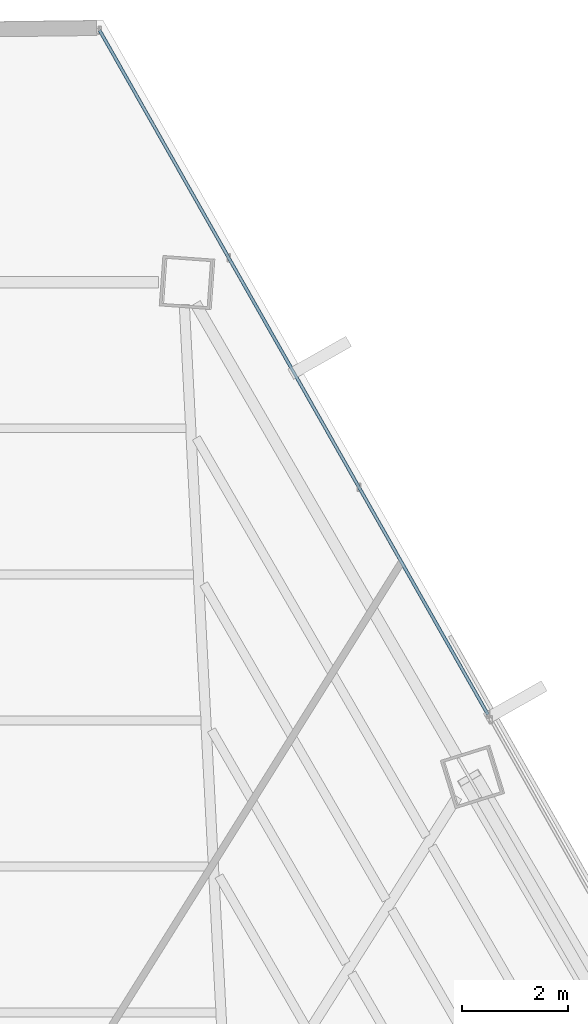
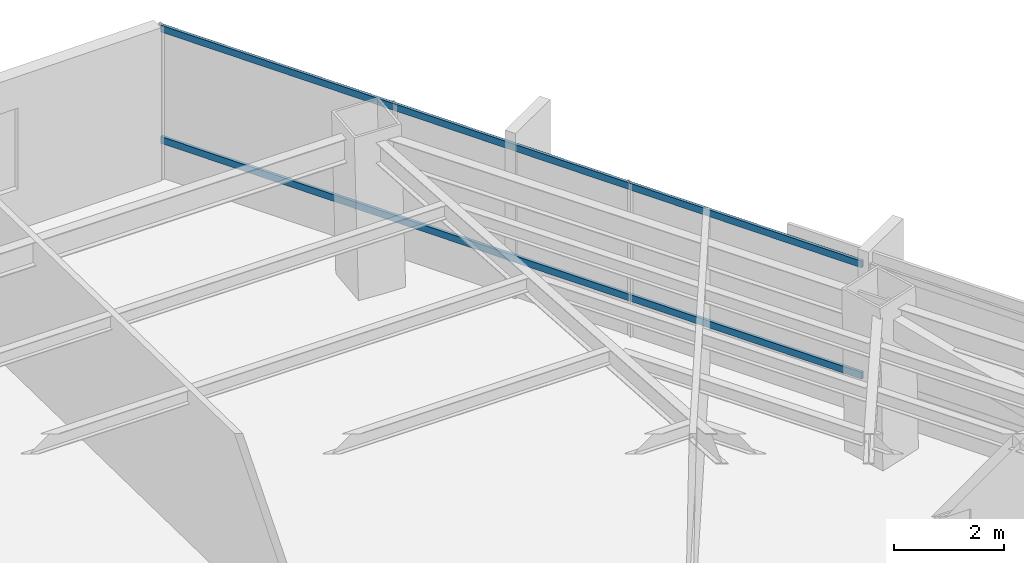
# One storey, part 33 of 41: 2 members, 1 element without a shape of its own.
"""IFC4 building model written with IfcOpenShell, lengths in metres."""

import ifcopenshell
import ifcopenshell.guid

model = None  # the IFC model being written
_history = None  # IfcOwnerHistory: only IFC2X3 demands one
_inside = {}  # id of a spatial element -> (the spatial element, [elements in it])
_under = {}  # id of a project, library or spatial element -> (it, [spatial elements below it])
_declared = {}  # id of a project -> (the project, [libraries it declares])
_typed = {}  # id of a type object -> (the type object, [elements of that type])
_made_of = {}  # id of a material, layer set ... -> (it, [elements and type objects made of it])


def new_model(schema):
    """Start an empty IFC model of exactly this schema.

    Asked for "IFC4X3", IfcOpenShell would pick the latest addendum, in which some entities
    have other attributes; the version numbers below select the first issue.
    IFC2X3 requires an IfcOwnerHistory on every rooted entity: one is made here for all.
    """
    global model, _history
    if schema == "IFC4X3":
        model = ifcopenshell.file(schema_version=(4, 3, 0, 0))
    else:
        model = ifcopenshell.file(schema=schema)
    _inside.clear()
    _under.clear()
    _declared.clear()
    _typed.clear()
    _made_of.clear()
    _history = None
    if model.schema == "IFC2X3":
        org = make("IfcOrganization", Name="unknown")
        user = make(
            "IfcPersonAndOrganization",
            ThePerson=make("IfcPerson", FamilyName="unknown"),
            TheOrganization=org,
        )
        app = make(
            "IfcApplication",
            ApplicationDeveloper=org,
            Version="unknown",
            ApplicationFullName="unknown",
            ApplicationIdentifier="unknown",
        )
        _history = make(
            "IfcOwnerHistory",
            OwningUser=user,
            OwningApplication=app,
            ChangeAction="ADDED",
            CreationDate=0,
        )
    return model


def make(cls, **values):
    """One entity of the class cls with the attributes given. An attribute that is None is left unset."""
    return model.create_entity(
        cls, **{name: value for name, value in values.items() if value is not None}
    )


def rooted(cls, **values):
    """An entity with a GlobalId (a new one), such as an element, a storey or a relation."""
    return make(cls, GlobalId=ifcopenshell.guid.new(), OwnerHistory=_history, **values)


def si_unit(unit_type, name, prefix=None):
    """IfcSIUnit, for example si_unit("LENGTHUNIT", "METRE", prefix="MILLI")."""
    return make("IfcSIUnit", UnitType=unit_type, Prefix=prefix, Name=name)


def assignment(units):
    """IfcUnitAssignment: the units of a project."""
    return None if units is None else make("IfcUnitAssignment", Units=units)


def point(xyz):
    """IfcCartesianPoint."""
    return None if xyz is None else make("IfcCartesianPoint", Coordinates=xyz)


def direction(xyz):
    """IfcDirection."""
    return None if xyz is None else make("IfcDirection", DirectionRatios=xyz)


def frame(location, z_axis=None, x_axis=None):
    """IfcAxis2Placement3D, a coordinate frame: its origin and axes. An axis left out is left unset."""
    return make(
        "IfcAxis2Placement3D",
        Location=point(location),
        Axis=direction(z_axis),
        RefDirection=direction(x_axis),
    )


def frame_2d(location, x_axis=None):
    """IfcAxis2Placement2D, a coordinate frame in the plane: its origin and x axis."""
    return make(
        "IfcAxis2Placement2D", Location=point(location), RefDirection=direction(x_axis)
    )


def origin():
    """The frame at (0, 0, 0) with its axes left unset."""
    return frame((0.0, 0.0, 0.0))


def origin_2d():
    """The frame at (0, 0) in the plane with its x axis left unset."""
    return frame_2d((0.0, 0.0))


def place(relative_to, where):
    """IfcLocalPlacement: puts the frame where relative to a parent placement (None: the world)."""
    return make(
        "IfcLocalPlacement", PlacementRelTo=relative_to, RelativePlacement=where
    )


def context(
    kind, dimensions, precision=None, world=None, true_north=None, identifier=None
):
    """IfcGeometricRepresentationContext, for example the 3D "Model" context."""
    return make(
        "IfcGeometricRepresentationContext",
        ContextIdentifier=identifier,
        ContextType=kind,
        CoordinateSpaceDimension=dimensions,
        Precision=precision,
        WorldCoordinateSystem=world,
        TrueNorth=true_north,
    )


def subcontext(parent, identifier, kind, view, scale=None):
    """IfcGeometricRepresentationSubContext, for example "Body" below "Model"."""
    return make(
        "IfcGeometricRepresentationSubContext",
        ContextIdentifier=identifier,
        ContextType=kind,
        ParentContext=parent,
        TargetScale=scale,
        TargetView=view,
    )


def project(units=None, contexts=None):
    """IfcProject with its units and contexts."""
    return rooted(
        "IfcProject",
        Name="project",
        RepresentationContexts=contexts,
        UnitsInContext=assignment(units),
    )


def spatial(cls, under=None, at=None, **own):
    """A site, building, storey or space (cls), placed at a placement, below another one or the project."""
    s = rooted(cls, ObjectPlacement=at, **own)
    if under is not None:
        _under.setdefault(under.id(), (under, []))[1].append(s)
    return s


def profile(cls, at=None, kind="AREA", **sizes):
    """A parametric profile (cls). Its sizes go by their IFC names, for example OverallWidth=200.0."""
    return make(cls, ProfileType=kind, Position=at, **sizes)


def hollow_rectangle(**sizes):
    """IfcRectangleHollowProfileDef."""
    return profile("IfcRectangleHollowProfileDef", **sizes)


def extrude(swept, where, along, depth):
    """IfcExtrudedAreaSolid: the profile swept, set in the frame where, extruded along a direction by depth."""
    return make(
        "IfcExtrudedAreaSolid",
        SweptArea=swept,
        Position=where,
        ExtrudedDirection=direction(along),
        Depth=depth,
    )


def shape(context_of_items, identifier, shape_type, items):
    """IfcShapeRepresentation: the items that make up one representation, for example the "Body"."""
    return make(
        "IfcShapeRepresentation",
        ContextOfItems=context_of_items,
        RepresentationIdentifier=identifier,
        RepresentationType=shape_type,
        Items=items,
    )


def source(mapping_origin, context_of_items, identifier, shape_type, items):
    """IfcRepresentationMap: a shape defined once, which mapped items show again and again."""
    return make(
        "IfcRepresentationMap",
        MappingOrigin=mapping_origin,
        MappedRepresentation=shape(context_of_items, identifier, shape_type, items),
    )


def transform(
    local_origin,
    x_axis=None,
    y_axis=None,
    z_axis=None,
    scale=None,
    scale2=None,
    scale3=None,
    uniform=True,
):
    """IfcCartesianTransformationOperator3D, or its non-uniform kind. x_axis, y_axis, z_axis: its Axis1, 2, 3."""
    if uniform:
        return make(
            "IfcCartesianTransformationOperator3D",
            Axis1=direction(x_axis),
            Axis2=direction(y_axis),
            LocalOrigin=point(local_origin),
            Scale=scale,
            Axis3=direction(z_axis),
        )
    return make(
        "IfcCartesianTransformationOperator3DnonUniform",
        Axis1=direction(x_axis),
        Axis2=direction(y_axis),
        LocalOrigin=point(local_origin),
        Scale=scale,
        Axis3=direction(z_axis),
        Scale2=scale2,
        Scale3=scale3,
    )


def mapped(mapping_source, mapping_target):
    """IfcMappedItem: shows the shape of a source again, moved by a transform."""
    return make(
        "IfcMappedItem", MappingSource=mapping_source, MappingTarget=mapping_target
    )


def material(Name=None, Category=None):
    """IfcMaterial."""
    return make("IfcMaterial", Name=Name, Category=Category)


def material_profile(
    of_material, cross_section, Name=None, Category=None, Priority=None
):
    """IfcMaterialProfile: a cross section and its material."""
    return make(
        "IfcMaterialProfile",
        Name=Name,
        Material=of_material,
        Profile=cross_section,
        Priority=Priority,
        Category=Category,
    )


def profile_set(profiles, Name=None, composite=None):
    """IfcMaterialProfileSet."""
    return make(
        "IfcMaterialProfileSet",
        Name=Name,
        MaterialProfiles=profiles,
        CompositeProfile=composite,
    )


def made_of(thing, what):
    """Note that an element or type object is made of a material, layer set ...; save() writes the relation."""
    if what is not None:
        _made_of.setdefault(what.id(), (what, []))[1].append(thing)
    return thing


def type_object(cls, material=None, **own):
    """A type object (cls), such as IfcWallType, which elements share."""
    return made_of(rooted(cls, **own), material)


def type_shapes(of_type, sources):
    """Give a type object the sources (RepresentationMaps) that its elements show as mapped items."""
    of_type.RepresentationMaps = sources


def element(
    cls,
    number,
    at=None,
    inside=None,
    cuts=None,
    type_object=None,
    material=None,
    context=None,
    identifier="Body",
    shape_type=None,
    held_by="IfcProductDefinitionShape",
    body=None,
    shapes=None,
    **own,
):
    """One element of the class cls, such as IfcWall. Its Tag is "e" and its number.

    at: its placement. inside: the storey or other place that contains it. cuts: it is an
    opening in that element (IfcRelVoidsElement). A single representation is given by context,
    identifier, shape_type and body (its items); several are given by shapes. held_by: the class
    of the entity that holds the representations. save() writes the other relations.
    """
    e = rooted(cls, Tag="e%d" % number, ObjectPlacement=at, **own)
    if body is not None:
        shapes = [shape(context, identifier, shape_type, body)]
    if shapes is not None:
        e.Representation = make(held_by, Representations=shapes)
    if inside is not None:
        _inside.setdefault(inside.id(), (inside, []))[1].append(e)
    if cuts is not None:
        rooted(
            "IfcRelVoidsElement", RelatingBuildingElement=cuts, RelatedOpeningElement=e
        )
    if type_object is not None:
        _typed.setdefault(type_object.id(), (type_object, []))[1].append(e)
    return made_of(e, material)


def aggregate(whole, parts):
    """IfcRelAggregates: a whole, such as a stair, and the parts it consists of."""
    return rooted("IfcRelAggregates", RelatingObject=whole, RelatedObjects=parts)


def save(model, path):
    """Write the relations noted so far, then the file.

    IfcRelAggregates (storeys below a building ...), IfcRelContainedInSpatialStructure (elements
    in a storey), IfcRelDefinesByType, IfcRelAssociatesMaterial and IfcRelDeclares: one each for
    every whole, place, type object, material and project.
    """
    for whole, parts in _under.values():
        aggregate(whole, parts)
    for where, things in _inside.values():
        rooted(
            "IfcRelContainedInSpatialStructure",
            RelatedElements=things,
            RelatingStructure=where,
        )
    for kind, things in _typed.values():
        rooted("IfcRelDefinesByType", RelatedObjects=things, RelatingType=kind)
    for what, things in _made_of.values():
        rooted("IfcRelAssociatesMaterial", RelatedObjects=things, RelatingMaterial=what)
    for by, libraries in _declared.values():
        rooted("IfcRelDeclares", RelatingContext=by, RelatedDefinitions=libraries)
    model.write(path)


model = new_model("IFC4")

# Units and contexts
model_context = context("Model", 3, precision=1e-05, world=origin(), true_north=direction((0.0, 1.0)))
body_context = subcontext(model_context, "Body", "Model", "MODEL_VIEW")
ifc_project = project(units=[si_unit("LENGTHUNIT", "METRE"), si_unit("AREAUNIT", "SQUARE_METRE"), si_unit("VOLUMEUNIT", "CUBIC_METRE"), si_unit("PLANEANGLEUNIT", "RADIAN"), si_unit("MASSUNIT", "GRAM", prefix="KILO")], contexts=[model_context])

# Site, building, storey
site_placement = place(None, origin())
site = spatial("IfcSite", under=ifc_project, at=site_placement, CompositionType="ELEMENT")
building_placement = place(site_placement, origin())
building = spatial("IfcBuilding", under=site, at=building_placement, Name="Caelisora Broadcast Tower", CompositionType="ELEMENT")
storey_placement = place(building_placement, frame((0.0, 0.0, 135.449951171875)))
storey = spatial("IfcBuildingStorey", under=building, at=storey_placement, Name="L35", CompositionType="ELEMENT", Elevation=135.449951171875)

# Curtain wall, members
ifc_material_1 = material(Name="Unitised Aluminium and Low-E Glass Curtain Wall", Category="glass")
curtain_wall_type = type_object("IfcCurtainWallType", Name="CW-Z3", PredefinedType="NOTDEFINED", material=ifc_material_1)
curtain_wall_placement = place(storey_placement, origin())
curtain_wall = element("IfcCurtainWall", 1, at=curtain_wall_placement, inside=storey, type_object=curtain_wall_type, Name="L35 curtain wall CW-Z3", PredefinedType="NOTDEFINED")
ifc_material_2 = material(Name="Aluminium 6063-T6 Anodised Terracotta Bronze", Category="aluminium")
ifc_material_profile = material_profile(ifc_material_2, hollow_rectangle(XDim=0.06005859375, YDim=0.14990234375, WallThickness=0.00341796875, at=origin_2d()), Name="Aluminium 6063-T6 Anodised Terracotta Bronze")
ifc_profile_set = profile_set([ifc_material_profile], Name="Aluminium 6063-T6 Anodised Terracotta Bronze")
member_type = type_object("IfcMemberType", Name="CWT-02", PredefinedType="USERDEFINED", material=ifc_profile_set)
shared_shape = source(origin(), body_context, "Body", "SweptSolid", [
    extrude(hollow_rectangle(XDim=0.06005859375, YDim=0.14990234375, WallThickness=0.00341796875, at=origin_2d()), origin(), (0.0, 0.0, 1.0), 14.783935546875),
])
type_shapes(member_type, [shared_shape])
member_1_placement = place(storey_placement, frame((43.07763671875, 51.202392578125, 0.85009765625), z_axis=(0.493632862913, -0.86967039541, 0.0), x_axis=(0.86967039541, 0.493632862913, 0.0)))
member_1 = element("IfcMember", 2, at=member_1_placement, type_object=member_type, Name="L35-CW-B01 transom #1", ObjectType="TRANSOM", PredefinedType="USERDEFINED", context=body_context, shape_type="MappedRepresentation", body=[
    mapped(shared_shape, transform((0.0, 0.0, 0.0), scale=1.0)),
])
member_2_placement = place(storey_placement, frame((43.07763671875, 51.202392578125, 3.320068359375), z_axis=(0.493632862913, -0.86967039541, 0.0), x_axis=(0.86967039541, 0.493632862913, 0.0)))
member_2 = element("IfcMember", 3, at=member_2_placement, type_object=member_type, Name="L35-CW-B01 transom #2", ObjectType="TRANSOM", PredefinedType="USERDEFINED", context=body_context, shape_type="MappedRepresentation", body=[
    mapped(shared_shape, transform((0.0, 0.0, 0.0), scale=1.0)),
])
aggregate(curtain_wall, [member_1, member_2])

save(model, "model.ifc")
